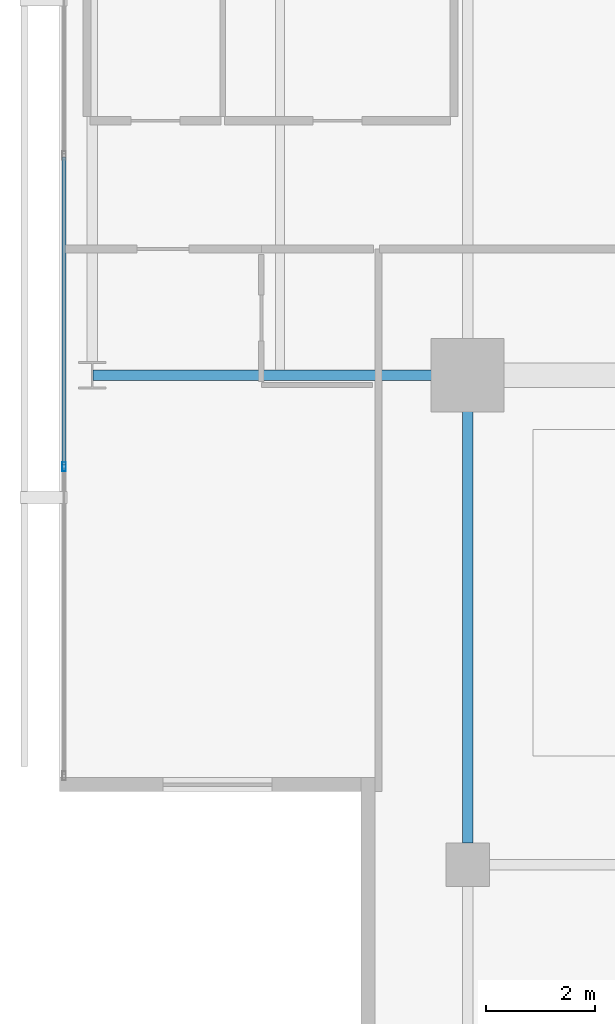
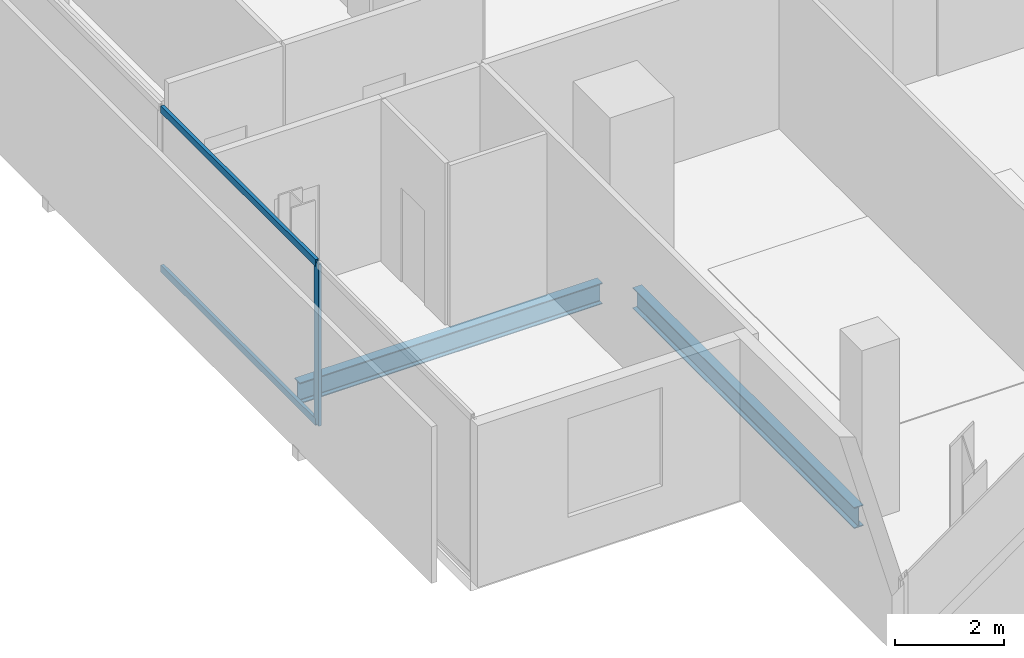
# One storey, part 4 of 23: 3 members, 2 beams, 1 element without a shape of its own.
"""IFC4 building model written with IfcOpenShell, lengths in metres."""

from ifc_helpers import new_model, si_unit, direction, frame, origin, origin_2d, place, context, subcontext, project, spatial, hollow_rectangle, i_section, extrude, material, layer, layer_set, material_profile, profile_set, type_object, element, aggregate, save


model = new_model("IFC4")

# Units and contexts
model_context = context("Model", 3, precision=1e-05, world=origin(), true_north=direction((0.0, 1.0)))
body_context = subcontext(model_context, "Body", "Model", "MODEL_VIEW")
ifc_project = project(units=[si_unit("LENGTHUNIT", "METRE"), si_unit("AREAUNIT", "SQUARE_METRE"), si_unit("VOLUMEUNIT", "CUBIC_METRE"), si_unit("PLANEANGLEUNIT", "RADIAN"), si_unit("MASSUNIT", "GRAM", prefix="KILO")], contexts=[model_context])

# Site, building, storey
site_placement = place(None, origin())
site = spatial("IfcSite", under=ifc_project, at=site_placement, CompositionType="ELEMENT")
building_placement = place(site_placement, origin())
building = spatial("IfcBuilding", under=site, at=building_placement, Name="Maruvema Waterfront Hotel and Observation Tower", CompositionType="ELEMENT")
storey_placement = place(building_placement, frame((0.0, 0.0, 337.39990234375)))
storey = spatial("IfcBuildingStorey", under=building, at=storey_placement, Name="L83", CompositionType="ELEMENT", Elevation=337.39990234375)

# Curtain wall, members
ifc_material_1 = material(Name="Anodised bronze aluminium and solar-control low-E IGU", Category="aluminium")
ifc_layer = layer(ifc_material_1, 0.159912109375, Name="Zone 4 Sky Residence Inner Curtain Wall System CW-05")
ifc_layer_set = layer_set([ifc_layer], Name="Anodised bronze aluminium and solar-control low-E IGU")
curtain_wall_type = type_object("IfcCurtainWallType", Name="Zone 4 Sky Residence Inner Curtain Wall System CW-05", PredefinedType="USERDEFINED", material=ifc_layer_set)
curtain_wall_placement = place(storey_placement, origin())
curtain_wall = element("IfcCurtainWall", 1, at=curtain_wall_placement, inside=storey, type_object=curtain_wall_type, Name="L83 Curtain Wall CW-L83-W", ObjectType="UNITISED CURTAIN WALL", PredefinedType="USERDEFINED")
ifc_material_2 = material(Name="Anodised architectural bronze aluminium", Category="aluminium")
ifc_material_profile_1 = material_profile(ifc_material_2, hollow_rectangle(XDim=0.070068359375, YDim=0.14990234375, WallThickness=0.00390625, at=origin_2d()), Name="ALU-T70x150")
ifc_profile_set_1 = profile_set([ifc_material_profile_1], Name="Anodised architectural bronze aluminium")
member_type_1 = type_object("IfcMemberType", Name="Curtain Wall Horizontal Transom ALU-T70x150", PredefinedType="USERDEFINED", material=ifc_profile_set_1)
member_1_placement = place(storey_placement, frame((17.780029296875, 31.010009765625, 0.030029296875), z_axis=(0.0, -1.0, 0.0), x_axis=(1.0, 0.0, 0.0)))
member_1 = element("IfcMember", 2, at=member_1_placement, type_object=member_type_1, Name="CW-05 transom 4.1", ObjectType="TRANSOM", PredefinedType="USERDEFINED", context=body_context, shape_type="SweptSolid", body=[
    extrude(hollow_rectangle(XDim=0.070068359375, YDim=0.14990234375, WallThickness=0.00390625, at=origin_2d()), origin(), (0.0, 0.0, 1.0), 5.659912109375),
])
member_2_placement = place(storey_placement, frame((17.780029296875, 31.010009765625, 3.580078125), z_axis=(0.0, -1.0, 0.0), x_axis=(1.0, 0.0, 0.0)))
member_2 = element("IfcMember", 3, at=member_2_placement, type_object=member_type_1, Name="CW-05 transom 4.2", ObjectType="TRANSOM", PredefinedType="USERDEFINED", context=body_context, shape_type="SweptSolid", body=[
    extrude(hollow_rectangle(XDim=0.070068359375, YDim=0.14990234375, WallThickness=0.00390625, at=origin_2d()), origin(), (0.0, 0.0, 1.0), 5.659912109375),
])
ifc_material_3 = material(Name="Anodised architectural bronze aluminium", Category="aluminium")
ifc_material_profile_2 = material_profile(ifc_material_3, hollow_rectangle(XDim=0.06494140625, YDim=0.1650390625, WallThickness=0.00390625, at=origin_2d()), Name="ALU-M65x165")
ifc_profile_set_2 = profile_set([ifc_material_profile_2], Name="Anodised architectural bronze aluminium")
member_type_2 = type_object("IfcMemberType", Name="Curtain Wall Primary Mullion ALU-M65x165", PredefinedType="MULLION", material=ifc_profile_set_2)
member_3_placement = place(storey_placement, frame((17.780029296875, 25.320068359375, 0.0), z_axis=(0.0, 0.0, 1.0), x_axis=(1.0, 0.0, 0.0)))
member_3 = element("IfcMember", 4, at=member_3_placement, type_object=member_type_2, Name="CW-05 mullion 5", PredefinedType="MULLION", context=body_context, shape_type="SweptSolid", body=[
    extrude(hollow_rectangle(XDim=0.06494140625, YDim=0.1650390625, WallThickness=0.00390625, at=origin_2d()), origin(), (0.0, 0.0, 1.0), 3.610107421875),
])
aggregate(curtain_wall, [member_3, member_1, member_2])

# Beams
ifc_material_4 = material(Name="Steel ASTM A572 Grade 50", Category="steel")
ifc_material_profile_3 = material_profile(ifc_material_4, i_section(OverallWidth=0.194091796875, OverallDepth=0.468994140625, WebThickness=0.0126953125, FlangeThickness=0.0205078125, FilletRadius=0.014892578125, at=origin_2d()), Name="W460x106.0")
ifc_profile_set_3 = profile_set([ifc_material_profile_3], Name="Steel ASTM A572 Grade 50")
beam_type = type_object("IfcBeamType", Name="Primary Floor Girder W460x106.0", PredefinedType="BEAM", material=ifc_profile_set_3)
beam_1_placement = place(storey_placement, frame((18.31103515625, 27.0, -0.474365234375), z_axis=(1.0, 0.0, 0.0), x_axis=(0.0, 1.0, 0.0)))
element("IfcBeam", 5, at=beam_1_placement, inside=storey, type_object=beam_type, Name="L83 Floor Girder EW-07", PredefinedType="BEAM", context=body_context, shape_type="SweptSolid", body=[
    extrude(i_section(OverallWidth=0.194091796875, OverallDepth=0.468994140625, WebThickness=0.0126953125, FlangeThickness=0.0205078125, FilletRadius=0.014892578125, at=origin_2d()), origin(), (0.0, 0.0, 1.0), 6.388916015625),
])
beam_2_placement = place(storey_placement, frame((25.199951171875, 18.39990234375, -0.474365234375), z_axis=(0.0, 1.0, 0.0), x_axis=(-1.0, 0.0, 0.0)))
element("IfcBeam", 6, at=beam_2_placement, inside=storey, type_object=beam_type, Name="L83 Floor Girder NS-04", PredefinedType="BEAM", context=body_context, shape_type="SweptSolid", body=[
    extrude(i_section(OverallWidth=0.194091796875, OverallDepth=0.468994140625, WebThickness=0.0126953125, FlangeThickness=0.0205078125, FilletRadius=0.014892578125, at=origin_2d()), origin(), (0.0, 0.0, 1.0), 8.10009765625),
])

save(model, "model.ifc")
